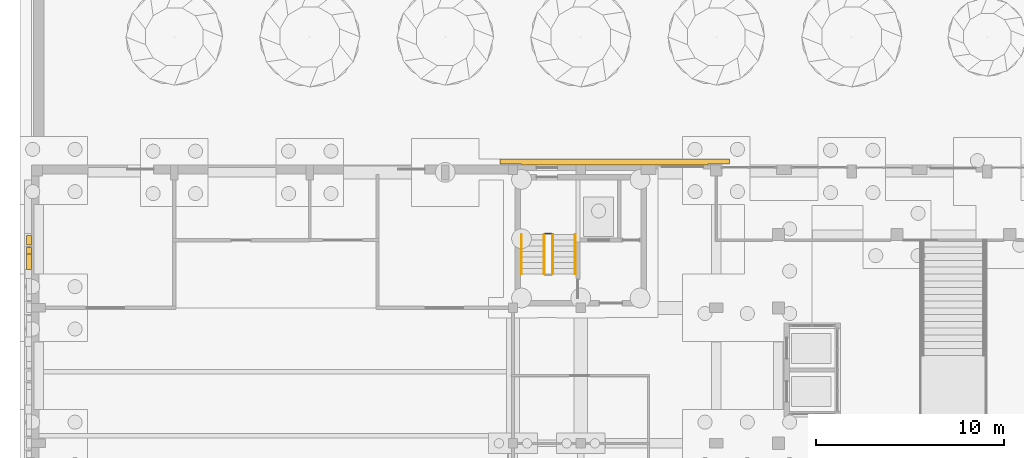
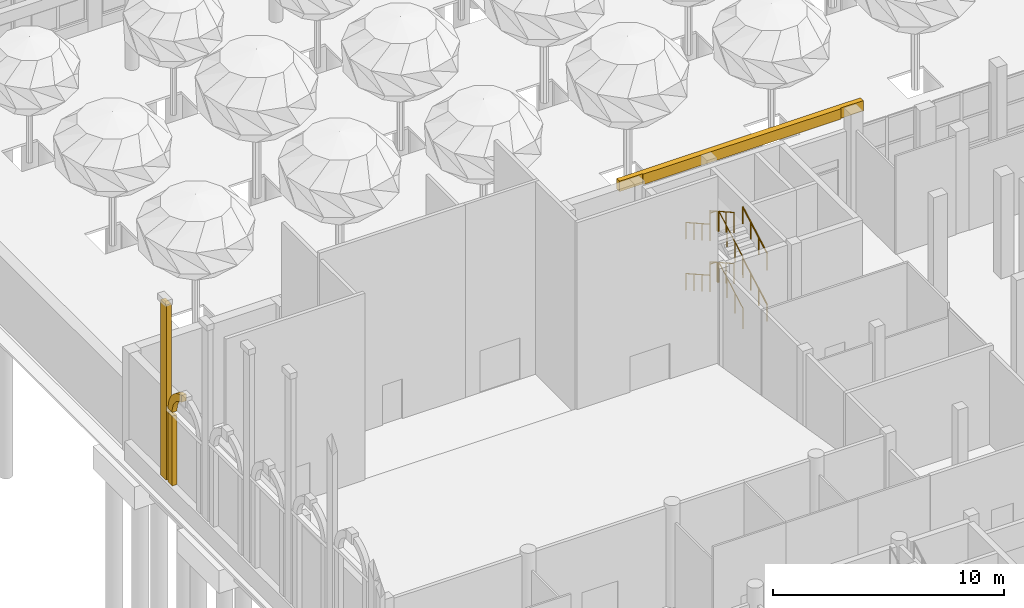
# One storey, part 61 of 80: 10 railings, 4 coverings.
"""IFC4 building model written with IfcOpenShell, lengths in metres."""

from ifc_helpers import new_model, si_unit, direction, frame, origin, origin_2d, place, context, subcontext, project, spatial, polyline, rectangle, circle, outline, extrude, material, type_object, element, save


model = new_model("IFC4")

# Units and contexts
model_context = context("Model", 3, precision=1e-05, world=origin(), true_north=direction((0.0, 1.0)))
body_context = subcontext(model_context, "Body", "Model", "MODEL_VIEW")
ifc_project = project(units=[si_unit("LENGTHUNIT", "METRE"), si_unit("AREAUNIT", "SQUARE_METRE"), si_unit("VOLUMEUNIT", "CUBIC_METRE"), si_unit("PLANEANGLEUNIT", "RADIAN"), si_unit("MASSUNIT", "GRAM", prefix="KILO")], contexts=[model_context])

# Site, building, storey
site_placement = place(None, origin())
site = spatial("IfcSite", under=ifc_project, at=site_placement, CompositionType="ELEMENT")
building_placement = place(site_placement, origin())
building = spatial("IfcBuilding", under=site, at=building_placement, Name="Ussher Court Research Institute", CompositionType="ELEMENT")
storey_placement = place(building_placement, origin())
storey = spatial("IfcBuildingStorey", under=building, at=storey_placement, Name="L00", CompositionType="ELEMENT", Elevation=0.0)

# Coverings
ifc_material_1 = material(Name="Limestone cornice", Category="masonry")
covering_type_1 = type_object("IfcCoveringType", Name="Arcade jamb 350x250", PredefinedType="CLADDING", material=ifc_material_1)
covering_1_placement = place(storey_placement, frame((2.47509765625, 35.824951171875, 1.0), z_axis=(0.0, 0.0, 1.0), x_axis=(1.0, 0.0, 0.0)))
element("IfcCovering", 1, at=covering_1_placement, inside=storey, type_object=covering_type_1, Name="Arcade jamb CC40", PredefinedType="CLADDING", context=body_context, shape_type="SweptSolid", body=[
    extrude(rectangle(XDim=0.25, YDim=0.35009765625, at=origin_2d()), origin(), (0.0, 0.0, 1.0), 3.690185546875),
])
ifc_material_2 = material(Name="Limestone cornice", Category="masonry")
covering_type_2 = type_object("IfcCoveringType", Name="Archivolt 2100 span", PredefinedType="CLADDING", material=ifc_material_2)
covering_2_placement = place(storey_placement, frame((2.35009765625, 34.60009765625, 4.89013671875), z_axis=(1.0, 0.0, 0.0), x_axis=(0.0, 1.0, 0.0)))
element("IfcCovering", 2, at=covering_2_placement, inside=storey, type_object=covering_type_2, Name="Archivolt CC41", PredefinedType="CLADDING", context=body_context, shape_type="SweptSolid", body=[
    extrude(outline(polyline([(0.273193359375, 1.373046875), (0.25, 1.377197265625), (0.25, 1.019775390625), (0.271728515625, 1.01416015625), (0.3046875, 1.0048828125), (0.33740234375, 0.994384765625), (0.369873046875, 0.982666015625), (0.40185546875, 0.97021484375), (0.433349609375, 0.956298828125), (0.46435546875, 0.941650390625), (0.4951171875, 0.926025390625), (0.52490234375, 0.9091796875), (0.554443359375, 0.8916015625), (0.583251953125, 0.873046875), (0.611572265625, 0.853515625), (0.63916015625, 0.8330078125), (0.666015625, 0.811767578125), (0.6923828125, 0.789306640625), (0.7177734375, 0.766357421875), (0.742431640625, 0.742431640625), (0.766357421875, 0.7177734375), (0.789306640625, 0.6923828125), (0.811767578125, 0.666015625), (0.8330078125, 0.63916015625), (0.853515625, 0.611572265625), (0.873046875, 0.583251953125), (0.8916015625, 0.554443359375), (0.9091796875, 0.52490234375), (0.926025390625, 0.4951171875), (0.941650390625, 0.46435546875), (0.956298828125, 0.433349609375), (0.97021484375, 0.40185546875), (0.982666015625, 0.369873046875), (0.994384765625, 0.33740234375), (1.0048828125, 0.3046875), (1.01416015625, 0.271728515625), (1.022705078125, 0.23828125), (1.02978515625, 0.204833984375), (1.035888671875, 0.1708984375), (1.041015625, 0.13720703125), (1.044921875, 0.102783203125), (1.0478515625, 0.068603515625), (1.04931640625, 0.034423828125), (1.050048828125, 0.0), (1.39990234375, 0.0), (1.3994140625, 0.0458984375), (1.39697265625, 0.091552734375), (1.393310546875, 0.13720703125), (1.387939453125, 0.1826171875), (1.38134765625, 0.22802734375), (1.373046875, 0.273193359375), (1.36328125, 0.31787109375), (1.352294921875, 0.3623046875), (1.339599609375, 0.406494140625), (1.32568359375, 0.449951171875), (1.310302734375, 0.4931640625), (1.29345703125, 0.535888671875), (1.275146484375, 0.577880859375), (1.255615234375, 0.619140625), (1.234619140625, 0.659912109375), (1.21240234375, 0.699951171875), (1.18896484375, 0.7392578125), (1.1640625, 0.77783203125), (1.137939453125, 0.8154296875), (1.110595703125, 0.852294921875), (1.082275390625, 0.88818359375), (1.052490234375, 0.923095703125), (1.021728515625, 0.95703125), (0.989990234375, 0.989990234375), (0.95703125, 1.021728515625), (0.923095703125, 1.052490234375), (0.88818359375, 1.082275390625), (0.852294921875, 1.110595703125), (0.8154296875, 1.137939453125), (0.77783203125, 1.1640625), (0.7392578125, 1.18896484375), (0.699951171875, 1.21240234375), (0.659912109375, 1.234619140625), (0.619140625, 1.255615234375), (0.577880859375, 1.275146484375), (0.535888671875, 1.29345703125), (0.4931640625, 1.310302734375), (0.449951171875, 1.32568359375), (0.406494140625, 1.339599609375), (0.3623046875, 1.352294921875), (0.31787109375, 1.36328125), (0.273193359375, 1.373046875)])), origin(), (0.0, 0.0, 1.0), 0.25),
])
ifc_material_3 = material(Name="Limestone cornice", Category="masonry")
covering_type_3 = type_object("IfcCoveringType", Name="Pilaster strip 500x250", PredefinedType="CLADDING", material=ifc_material_3)
covering_3_placement = place(storey_placement, frame((2.47509765625, 36.39990234375, 1.0), z_axis=(0.0, 0.0, 1.0), x_axis=(1.0, 0.0, 0.0)))
element("IfcCovering", 3, at=covering_3_placement, inside=storey, type_object=covering_type_3, Name="Pilaster strip CC9", PredefinedType="CLADDING", context=body_context, shape_type="SweptSolid", body=[
    extrude(rectangle(XDim=0.25, YDim=0.5, at=origin_2d()), origin(), (0.0, 0.0, 1.0), 9.262451171875),
])

# Railings
ifc_material_4 = material(Name="Painted steel balustrade", Category="steel")
railing_type_1 = type_object("IfcRailingType", Name="Stair guard 1100 steel balustrade", PredefinedType="GUARDRAIL", material=ifc_material_4)
railing_1_placement = place(storey_placement, frame((30.300048828125, 34.60009765625, 0.168701171875)))
element("IfcRailing", 4, at=railing_1_placement, inside=storey, type_object=railing_type_1, Name="L00 W1 stair guard 1", PredefinedType="GUARDRAIL", context=body_context, shape_type="SweptSolid", body=[
    extrude(circle(Radius=0.02392578125, at=origin_2d()), frame((0.0, 0.0, 1.076171875), z_axis=(0.0, 0.871534942205, 0.490333401387), x_axis=(-1.0, 0.0, 0.0)), (0.0, 0.0, 1.0), 2.409423828125),
    extrude(circle(Radius=0.02099609375, at=origin_2d()), origin(), (0.0, 0.0, 1.0), 1.052001953125),
    extrude(circle(Radius=0.02099609375, at=origin_2d()), frame((0.0, 0.699951171875, 0.393798828125)), (0.0, 0.0, 1.0), 1.052001953125),
    extrude(circle(Radius=0.02099609375, at=origin_2d()), frame((0.0, 1.39990234375, 0.78759765625)), (0.0, 0.0, 1.0), 1.052001953125),
    extrude(circle(Radius=0.02099609375, at=origin_2d()), frame((0.0, 2.099853515625, 1.181396484375)), (0.0, 0.0, 1.0), 1.052001953125),
])
railing_2_placement = place(storey_placement, frame((30.25, 36.75, 1.35009765625)))
element("IfcRailing", 5, at=railing_2_placement, inside=storey, type_object=railing_type_1, Name="L00 W1 stair guard 2", PredefinedType="GUARDRAIL", context=body_context, shape_type="SweptSolid", body=[
    extrude(circle(Radius=0.02392578125, at=origin_2d()), frame((0.0, 0.0, 1.076171875), z_axis=(-1.0, 0.0, 0.0), x_axis=(0.0, -1.0, 0.0)), (0.0, 0.0, 1.0), 0.35009765625),
    extrude(circle(Radius=0.02099609375, at=origin_2d()), origin(), (0.0, 0.0, 1.0), 1.052001953125),
    extrude(circle(Radius=0.02099609375, at=origin_2d()), frame((-0.35009765625, 0.0, 0.0)), (0.0, 0.0, 1.0), 1.052001953125),
])
railing_3_placement = place(storey_placement, frame((29.85009765625, 36.699951171875, 1.518798828125)))
element("IfcRailing", 6, at=railing_3_placement, inside=storey, type_object=railing_type_1, Name="L00 W1 stair guard 3", PredefinedType="GUARDRAIL", context=body_context, shape_type="SweptSolid", body=[
    extrude(circle(Radius=0.02392578125, at=origin_2d()), frame((0.0, 0.0, 1.076171875), z_axis=(0.0, -0.871578243375, 0.49025642849), x_axis=(1.0, 0.0, 0.0)), (0.0, 0.0, 1.0), 2.4091796875),
    extrude(circle(Radius=0.02099609375, at=origin_2d()), origin(), (0.0, 0.0, 1.0), 1.052001953125),
    extrude(circle(Radius=0.02099609375, at=origin_2d()), frame((0.0, -0.699951171875, 0.393798828125)), (0.0, 0.0, 1.0), 1.052001953125),
    extrude(circle(Radius=0.02099609375, at=origin_2d()), frame((0.0, -1.39990234375, 0.787353515625)), (0.0, 0.0, 1.0), 1.052001953125),
    extrude(circle(Radius=0.02099609375, at=origin_2d()), frame((0.0, -2.099853515625, 1.18115234375)), (0.0, 0.0, 1.0), 1.052001953125),
])
railing_4_placement = place(storey_placement, frame((30.300048828125, 34.60009765625, 2.86865234375)))
element("IfcRailing", 7, at=railing_4_placement, inside=storey, type_object=railing_type_1, Name="L00 W1 stair guard 5", PredefinedType="GUARDRAIL", context=body_context, shape_type="SweptSolid", body=[
    extrude(circle(Radius=0.02392578125, at=origin_2d()), frame((0.0, 0.0, 1.076171875), z_axis=(0.0, 0.871534942205, 0.490333401387), x_axis=(-1.0, 0.0, 0.0)), (0.0, 0.0, 1.0), 2.409423828125),
    extrude(circle(Radius=0.02099609375, at=origin_2d()), origin(), (0.0, 0.0, 1.0), 1.052001953125),
    extrude(circle(Radius=0.02099609375, at=origin_2d()), frame((0.0, 0.699951171875, 0.393798828125)), (0.0, 0.0, 1.0), 1.052001953125),
    extrude(circle(Radius=0.02099609375, at=origin_2d()), frame((0.0, 1.39990234375, 0.78759765625)), (0.0, 0.0, 1.0), 1.052001953125),
    extrude(circle(Radius=0.02099609375, at=origin_2d()), frame((0.0, 2.099853515625, 1.181396484375)), (0.0, 0.0, 1.0), 1.052001953125),
])
railing_5_placement = place(storey_placement, frame((30.25, 36.75, 4.050048828125)))
element("IfcRailing", 8, at=railing_5_placement, inside=storey, type_object=railing_type_1, Name="L00 W1 stair guard 6", PredefinedType="GUARDRAIL", context=body_context, shape_type="SweptSolid", body=[
    extrude(circle(Radius=0.02392578125, at=origin_2d()), frame((0.0, 0.0, 1.076171875), z_axis=(-1.0, 0.0, 0.0), x_axis=(0.0, -1.0, 0.0)), (0.0, 0.0, 1.0), 0.35009765625),
    extrude(circle(Radius=0.02099609375, at=origin_2d()), origin(), (0.0, 0.0, 1.0), 1.052001953125),
    extrude(circle(Radius=0.02099609375, at=origin_2d()), frame((-0.35009765625, 0.0, 0.0)), (0.0, 0.0, 1.0), 1.052001953125),
])
railing_6_placement = place(storey_placement, frame((29.85009765625, 36.699951171875, 4.21875)))
element("IfcRailing", 9, at=railing_6_placement, inside=storey, type_object=railing_type_1, Name="L00 W1 stair guard 7", PredefinedType="GUARDRAIL", context=body_context, shape_type="SweptSolid", body=[
    extrude(circle(Radius=0.02392578125, at=origin_2d()), frame((0.0, 0.0, 1.076171875), z_axis=(0.0, -0.871578243375, 0.49025642849), x_axis=(1.0, 0.0, 0.0)), (0.0, 0.0, 1.0), 2.4091796875),
    extrude(circle(Radius=0.02099609375, at=origin_2d()), origin(), (0.0, 0.0, 1.0), 1.052001953125),
    extrude(circle(Radius=0.02099609375, at=origin_2d()), frame((0.0, -0.699951171875, 0.393798828125)), (0.0, 0.0, 1.0), 1.052001953125),
    extrude(circle(Radius=0.02099609375, at=origin_2d()), frame((0.0, -1.39990234375, 0.787353515625)), (0.0, 0.0, 1.0), 1.052001953125),
    extrude(circle(Radius=0.02099609375, at=origin_2d()), frame((0.0, -2.099853515625, 1.18115234375)), (0.0, 0.0, 1.0), 1.052001953125),
])
ifc_material_5 = material(Name="Painted steel handrail", Category="steel")
railing_type_2 = type_object("IfcRailingType", Name="Stair handrail 900 steel", PredefinedType="HANDRAIL", material=ifc_material_5)
railing_7_placement = place(storey_placement, frame((31.5, 34.60009765625, 0.168701171875)))
element("IfcRailing", 10, at=railing_7_placement, inside=storey, type_object=railing_type_2, Name="L00 W1 stair handrail 1", PredefinedType="HANDRAIL", context=body_context, shape_type="SweptSolid", body=[
    extrude(circle(Radius=0.02392578125, at=origin_2d()), frame((0.0, 0.0, 0.8759765625), z_axis=(0.0, 0.871534942205, 0.490333401387), x_axis=(-1.0, 0.0, 0.0)), (0.0, 0.0, 1.0), 2.409423828125),
    extrude(circle(Radius=0.02099609375, at=origin_2d()), origin(), (0.0, 0.0, 1.0), 0.851806640625),
    extrude(circle(Radius=0.02099609375, at=origin_2d()), frame((0.0, 0.699951171875, 0.393798828125)), (0.0, 0.0, 1.0), 0.851806640625),
    extrude(circle(Radius=0.02099609375, at=origin_2d()), frame((0.0, 1.39990234375, 0.78759765625)), (0.0, 0.0, 1.0), 0.851806640625),
    extrude(circle(Radius=0.02099609375, at=origin_2d()), frame((0.0, 2.099853515625, 1.181396484375)), (0.0, 0.0, 1.0), 0.851806640625),
])
railing_8_placement = place(storey_placement, frame((28.64990234375, 36.699951171875, 1.518798828125)))
element("IfcRailing", 11, at=railing_8_placement, inside=storey, type_object=railing_type_2, Name="L00 W1 stair handrail 2", PredefinedType="HANDRAIL", context=body_context, shape_type="SweptSolid", body=[
    extrude(circle(Radius=0.02392578125, at=origin_2d()), frame((0.0, 0.0, 0.8759765625), z_axis=(0.0, -0.871578243375, 0.49025642849), x_axis=(1.0, 0.0, 0.0)), (0.0, 0.0, 1.0), 2.4091796875),
    extrude(circle(Radius=0.02099609375, at=origin_2d()), origin(), (0.0, 0.0, 1.0), 0.851806640625),
    extrude(circle(Radius=0.02099609375, at=origin_2d()), frame((0.0, -0.699951171875, 0.393798828125)), (0.0, 0.0, 1.0), 0.851806640625),
    extrude(circle(Radius=0.02099609375, at=origin_2d()), frame((0.0, -1.39990234375, 0.787353515625)), (0.0, 0.0, 1.0), 0.851806640625),
    extrude(circle(Radius=0.02099609375, at=origin_2d()), frame((0.0, -2.099853515625, 1.18115234375)), (0.0, 0.0, 1.0), 0.851806640625),
])
railing_9_placement = place(storey_placement, frame((31.5, 34.60009765625, 2.86865234375)))
element("IfcRailing", 12, at=railing_9_placement, inside=storey, type_object=railing_type_2, Name="L00 W1 stair handrail 3", PredefinedType="HANDRAIL", context=body_context, shape_type="SweptSolid", body=[
    extrude(circle(Radius=0.02392578125, at=origin_2d()), frame((0.0, 0.0, 0.8759765625), z_axis=(0.0, 0.871534942205, 0.490333401387), x_axis=(-1.0, 0.0, 0.0)), (0.0, 0.0, 1.0), 2.409423828125),
    extrude(circle(Radius=0.02099609375, at=origin_2d()), origin(), (0.0, 0.0, 1.0), 0.851806640625),
    extrude(circle(Radius=0.02099609375, at=origin_2d()), frame((0.0, 0.699951171875, 0.393798828125)), (0.0, 0.0, 1.0), 0.851806640625),
    extrude(circle(Radius=0.02099609375, at=origin_2d()), frame((0.0, 1.39990234375, 0.78759765625)), (0.0, 0.0, 1.0), 0.851806640625),
    extrude(circle(Radius=0.02099609375, at=origin_2d()), frame((0.0, 2.099853515625, 1.181396484375)), (0.0, 0.0, 1.0), 0.851806640625),
])
railing_10_placement = place(storey_placement, frame((28.64990234375, 36.699951171875, 4.21875)))
element("IfcRailing", 13, at=railing_10_placement, inside=storey, type_object=railing_type_2, Name="L00 W1 stair handrail 4", PredefinedType="HANDRAIL", context=body_context, shape_type="SweptSolid", body=[
    extrude(circle(Radius=0.02392578125, at=origin_2d()), frame((0.0, 0.0, 0.8759765625), z_axis=(0.0, -0.871578243375, 0.49025642849), x_axis=(1.0, 0.0, 0.0)), (0.0, 0.0, 1.0), 2.4091796875),
    extrude(circle(Radius=0.02099609375, at=origin_2d()), origin(), (0.0, 0.0, 1.0), 0.851806640625),
    extrude(circle(Radius=0.02099609375, at=origin_2d()), frame((0.0, -0.699951171875, 0.393798828125)), (0.0, 0.0, 1.0), 0.851806640625),
    extrude(circle(Radius=0.02099609375, at=origin_2d()), frame((0.0, -1.39990234375, 0.787353515625)), (0.0, 0.0, 1.0), 0.851806640625),
    extrude(circle(Radius=0.02099609375, at=origin_2d()), frame((0.0, -2.099853515625, 1.18115234375)), (0.0, 0.0, 1.0), 0.851806640625),
])

# Covering
ifc_material_6 = material(Name="Limestone cornice", Category="masonry")
covering_type_4 = type_object("IfcCoveringType", Name="String course 300x550", PredefinedType="CLADDING", material=ifc_material_6)
covering_4_placement = place(storey_placement, frame((0.0, 0.0, 4.85009765625)))
element("IfcCovering", 14, at=covering_4_placement, inside=storey, type_object=covering_type_4, Name="String course CC4", PredefinedType="CLADDING", context=body_context, shape_type="SweptSolid", body=[
    extrude(outline(polyline([(39.699951171875, 40.449951171875), (39.699951171875, 40.699951171875), (27.5, 40.699951171875), (27.5, 40.449951171875), (28.64990234375, 40.449951171875), (28.64990234375, 40.39990234375), (38.550048828125, 40.39990234375), (38.550048828125, 40.449951171875), (39.699951171875, 40.449951171875)])), origin(), (0.0, 0.0, 1.0), 0.5498046875),
])

save(model, "model.ifc")
